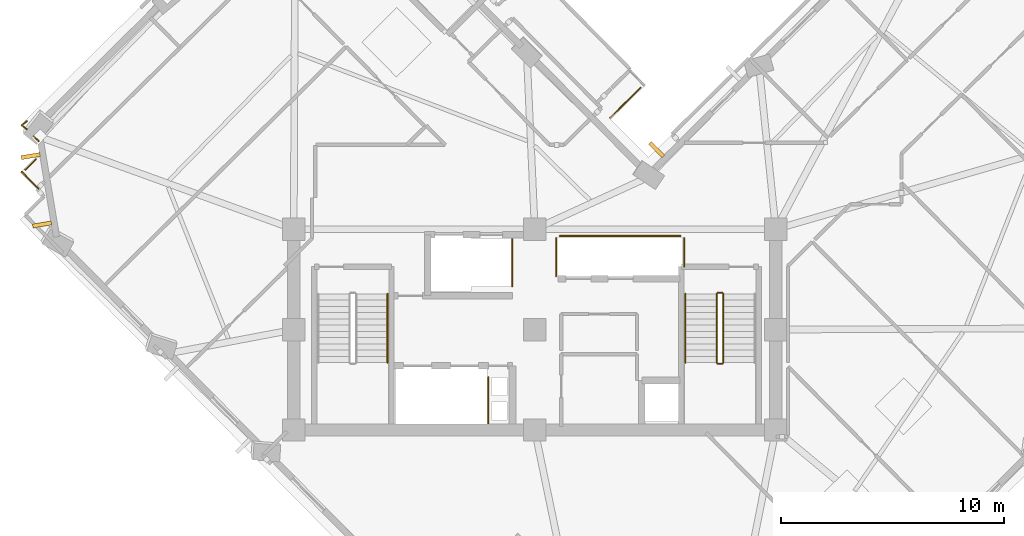
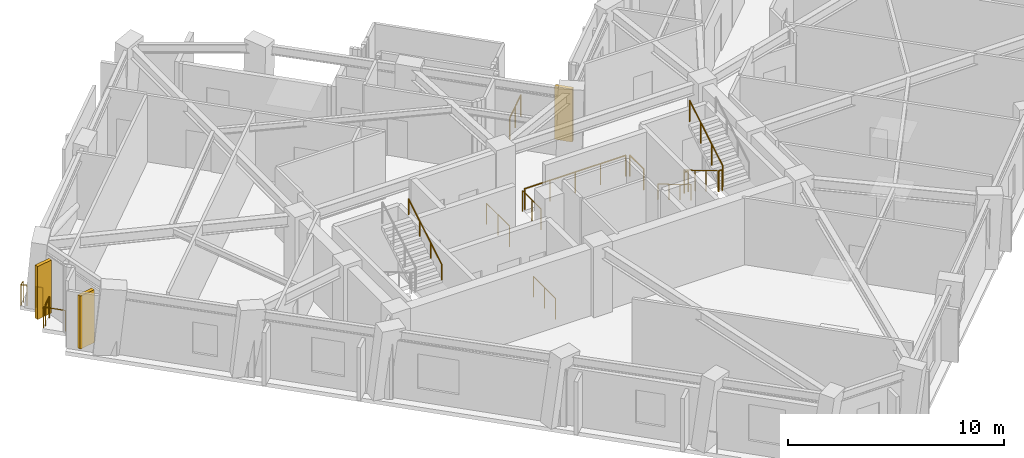
# One storey, part 9 of 11: 16 railings, 3 shading devices.
"""IFC4 building model written with IfcOpenShell, lengths in metres."""

from ifc_helpers import new_model, si_unit, direction, frame, origin, origin_2d, place, context, subcontext, project, spatial, rectangle, circle, extrude, material, layer, layer_set, type_object, element, save


model = new_model("IFC4")

# Units and contexts
model_context = context("Model", 3, precision=1e-05, world=origin(), true_north=direction((0.0, 1.0)))
body_context = subcontext(model_context, "Body", "Model", "MODEL_VIEW")
ifc_project = project(units=[si_unit("LENGTHUNIT", "METRE"), si_unit("AREAUNIT", "SQUARE_METRE"), si_unit("VOLUMEUNIT", "CUBIC_METRE"), si_unit("PLANEANGLEUNIT", "RADIAN"), si_unit("MASSUNIT", "GRAM", prefix="KILO")], contexts=[model_context])

# Site, building, storey
site_placement = place(None, origin())
site = spatial("IfcSite", under=ifc_project, at=site_placement, CompositionType="ELEMENT")
building_placement = place(site_placement, origin())
building = spatial("IfcBuilding", under=site, at=building_placement, Name="Gaonmaruhae Medical Tower", CompositionType="ELEMENT")
storey_placement = place(building_placement, frame((0.0, 0.0, 215.199951171875)))
storey = spatial("IfcBuildingStorey", under=building, at=storey_placement, Name="L51", CompositionType="ELEMENT", Elevation=215.199951171875)

# Railings
ifc_material_1 = material(Name="Stainless steel 316L and laminated safety glass", Category="steel")
ifc_layer = layer(ifc_material_1, 0.080078125)
ifc_layer_set = layer_set([ifc_layer], Name="Stainless steel 316L and laminated safety glass")
railing_type_1 = type_object("IfcRailingType", Name="GD-120 Outdoor Terrace Safety Glass & Steel Balustrade", PredefinedType="BALUSTRADE", material=ifc_layer_set)
railing_1_placement = place(storey_placement, frame((2.554931640625, 18.618408203125, 0.0)))
element("IfcRailing", 1, at=railing_1_placement, inside=storey, type_object=railing_type_1, Name="L51 Perimeter Slab Edge Safety Balustrade 08", PredefinedType="BALUSTRADE", context=body_context, shape_type="SweptSolid", body=[
    extrude(circle(Radius=0.02392578125, at=origin_2d()), frame((0.0, 0.0, 1.17578125), z_axis=(-0.702717092408, 0.711469386578, 0.0), x_axis=(-0.711469386578, -0.702717092408, 0.0)), (0.0, 0.0, 1.0), 1.06005859375),
    extrude(circle(Radius=0.02099609375, at=origin_2d()), origin(), (0.0, 0.0, 1.0), 1.15185546875),
    extrude(circle(Radius=0.02099609375, at=origin_2d()), frame((-0.744873046875, 0.754150390625, 0.0)), (0.0, 0.0, 1.0), 1.15185546875),
])
railing_2_placement = place(storey_placement, frame((1.9755859375, 19.4658203125, 0.0)))
element("IfcRailing", 2, at=railing_2_placement, inside=storey, type_object=railing_type_1, Name="L51 Perimeter Slab Edge Safety Balustrade 09", PredefinedType="BALUSTRADE", context=body_context, shape_type="SweptSolid", body=[
    extrude(circle(Radius=0.02392578125, at=origin_2d()), frame((0.0, 0.0, 1.17578125), z_axis=(0.711530676373, 0.70265503384, 0.0), x_axis=(-0.70265503384, 0.711530676373, 0.0)), (0.0, 0.0, 1.0), 0.66015625),
    extrude(circle(Radius=0.02099609375, at=origin_2d()), origin(), (0.0, 0.0, 1.0), 1.15185546875),
    extrude(circle(Radius=0.02099609375, at=origin_2d()), frame((0.4697265625, 0.4638671875, 0.0)), (0.0, 0.0, 1.0), 1.15185546875),
])
railing_3_placement = place(storey_placement, frame((2.568115234375, 20.73974609375, 0.0)))
element("IfcRailing", 3, at=railing_3_placement, inside=storey, type_object=railing_type_1, Name="L51 Perimeter Slab Edge Safety Balustrade 10", PredefinedType="BALUSTRADE", context=body_context, shape_type="SweptSolid", body=[
    extrude(circle(Radius=0.02392578125, at=origin_2d()), frame((0.0, 0.0, 1.17578125), z_axis=(-0.702985998444, 0.711203688117, 0.0), x_axis=(-0.711203688117, -0.702985998444, 0.0)), (0.0, 0.0, 1.0), 0.326904296875),
    extrude(circle(Radius=0.02099609375, at=origin_2d()), origin(), (0.0, 0.0, 1.0), 1.15185546875),
    extrude(circle(Radius=0.02099609375, at=origin_2d()), frame((-0.229736328125, 0.232421875, 0.0)), (0.0, 0.0, 1.0), 1.15185546875),
])
railing_4_placement = place(storey_placement, frame((29.5390625, 23.135986328125, 0.0)))
element("IfcRailing", 4, at=railing_4_placement, inside=storey, type_object=railing_type_1, Name="L51 Perimeter Slab Edge Safety Balustrade 15", PredefinedType="BALUSTRADE", context=body_context, shape_type="SweptSolid", body=[
    extrude(circle(Radius=0.02392578125, at=origin_2d()), frame((0.0, 0.0, 1.17578125), z_axis=(-0.711350130042, -0.702837813787, 0.0), x_axis=(0.702837813787, -0.711350130042, 0.0)), (0.0, 0.0, 1.0), 1.921630859375),
    extrude(circle(Radius=0.02099609375, at=origin_2d()), origin(), (0.0, 0.0, 1.0), 1.15185546875),
    extrude(circle(Radius=0.02099609375, at=origin_2d()), frame((-0.68359375, -0.67529296875, 0.0)), (0.0, 0.0, 1.0), 1.15185546875),
    extrude(circle(Radius=0.02099609375, at=origin_2d()), frame((-1.366943359375, -1.3505859375, 0.0)), (0.0, 0.0, 1.0), 1.15185546875),
])
railing_5_placement = place(storey_placement, frame((2.033935546875, 21.280517578125, 0.0)))
element("IfcRailing", 5, at=railing_5_placement, inside=storey, type_object=railing_type_1, Name="L51 Perimeter Corner Safety Balustrade 18", PredefinedType="BALUSTRADE", context=body_context, shape_type="SweptSolid", body=[
    extrude(circle(Radius=0.02392578125, at=origin_2d()), frame((0.0, 0.0, 1.17578125), z_axis=(-0.784752168391, 0.619809675793, 0.0), x_axis=(-0.619809675793, -0.784752168391, 0.0)), (0.0, 0.0, 1.0), 0.287109375),
    extrude(circle(Radius=0.02392578125, at=origin_2d()), frame((-0.225341796875, 0.177978515625, 1.17578125), z_axis=(0.791453233999, 0.611229726365, 0.0), x_axis=(-0.611229726365, 0.791453233999, 0.0)), (0.0, 0.0, 1.0), 0.287109375),
    extrude(circle(Radius=0.02099609375, at=origin_2d()), origin(), (0.0, 0.0, 1.0), 1.15185546875),
    extrude(circle(Radius=0.02099609375, at=origin_2d()), frame((-0.225341796875, 0.177978515625, 0.0)), (0.0, 0.0, 1.0), 1.15185546875),
    extrude(circle(Radius=0.02099609375, at=origin_2d()), frame((0.001953125, 0.353515625, 0.0)), (0.0, 0.0, 1.0), 1.15185546875),
])
ifc_material_2 = material(Name="Stainless steel 304 handrail", Category="steel")
railing_type_2 = type_object("IfcRailingType", Name="HR-092 Continuous Stainless Steel Stair Handrail", PredefinedType="HANDRAIL", material=ifc_material_2)
railing_6_placement = place(storey_placement, frame((18.199951171875, 10.820068359375, 2.166748046875)))
element("IfcRailing", 6, at=railing_6_placement, inside=storey, type_object=railing_type_2, Name="L51 ST-01 stair handrail 2", PredefinedType="HANDRAIL", context=body_context, shape_type="SweptSolid", body=[
    extrude(circle(Radius=0.02392578125, at=origin_2d()), frame((0.0, 0.0, 0.8759765625), z_axis=(0.0, 0.859290745958, 0.51148745235), x_axis=(-1.0, 0.0, 0.0)), (0.0, 0.0, 1.0), 3.584228515625),
    extrude(circle(Radius=0.02099609375, at=origin_2d()), origin(), (0.0, 0.0, 1.0), 0.851806640625),
    extrude(circle(Radius=0.02099609375, at=origin_2d()), frame((0.0, 1.026611328125, 0.611083984375)), (0.0, 0.0, 1.0), 0.851806640625),
    extrude(circle(Radius=0.02099609375, at=origin_2d()), frame((0.0, 2.05322265625, 1.22216796875)), (0.0, 0.0, 1.0), 0.851806640625),
    extrude(circle(Radius=0.02099609375, at=origin_2d()), frame((0.0, 3.079833984375, 1.833251953125)), (0.0, 0.0, 1.0), 0.851806640625),
])
railing_7_placement = place(storey_placement, frame((31.550048828125, 13.89990234375, 0.166748046875)))
element("IfcRailing", 7, at=railing_7_placement, inside=storey, type_object=railing_type_2, Name="L51 ST-02 stair handrail 1", PredefinedType="HANDRAIL", context=body_context, shape_type="SweptSolid", body=[
    extrude(circle(Radius=0.02392578125, at=origin_2d()), frame((0.0, 0.0, 0.8759765625), z_axis=(0.0, -0.859290745958, 0.51148745235), x_axis=(1.0, 0.0, 0.0)), (0.0, 0.0, 1.0), 3.584228515625),
    extrude(circle(Radius=0.02099609375, at=origin_2d()), origin(), (0.0, 0.0, 1.0), 0.851806640625),
    extrude(circle(Radius=0.02099609375, at=origin_2d()), frame((0.0, -1.026611328125, 0.611083984375)), (0.0, 0.0, 1.0), 0.851806640625),
    extrude(circle(Radius=0.02099609375, at=origin_2d()), frame((0.0, -2.05322265625, 1.22216796875)), (0.0, 0.0, 1.0), 0.851806640625),
    extrude(circle(Radius=0.02099609375, at=origin_2d()), frame((0.0, -3.079833984375, 1.833251953125)), (0.0, 0.0, 1.0), 0.851806640625),
])

# Shading devices
ifc_material_3 = material(Name="Pigmented coral precast concrete C45/55", Category="concrete")
shading_device_type = type_object("IfcShadingDeviceType", Name="SD-FIN1 Tower Vertical Coral Precast Shading Fin", PredefinedType="USERDEFINED", material=ifc_material_3)
for number, where, z_axis, x_axis, name in (
    (8, (30.2568359375, 20.365966796875, 0.08251953125), (0.0, 0.0, 1.0), (0.711400764987, 0.702786561892, 0.0), "L51 Vertical Coral Precast Shading Fin EN02"),
    (9, (2.72265625, 17.010498046875, 0.132568359375), (0.0, 0.0, 1.0), (-0.163876942581, 0.986480789316, 0.0), "L51 Vertical Coral Precast Shading Fin N03"),
    (10, (2.21337890625, 20.076416015625, 0.132568359375), (0.0, 0.0, 1.0), (-0.163876942581, 0.986480789316, 0.0), "L51 Vertical Coral Precast Shading Fin N03B"),
):
    element("IfcShadingDevice", number, at=place(storey_placement, frame(where, z_axis=z_axis, x_axis=x_axis)), inside=storey, type_object=shading_device_type, Name=name, ObjectType="FIN", PredefinedType="USERDEFINED", context=body_context, shape_type="SweptSolid", body=[
        extrude(rectangle(XDim=0.179931640625, YDim=0.85009765625, at=origin_2d()), origin(), (0.0, 0.0, 1.0), 3.0),
    ])

# Railings
ifc_material_4 = material(Name="Stainless steel 304 balustrade", Category="steel")
railing_type_3 = type_object("IfcRailingType", Name="SG-112 Stair Well & Ramp Void Safety Balustrade", PredefinedType="BALUSTRADE", material=ifc_material_4)
railing_8_placement = place(storey_placement, frame((32.949951171875, 13.89990234375, 0.166748046875)))
element("IfcRailing", 11, at=railing_8_placement, inside=storey, type_object=railing_type_3, Name="L51 ST-02 stair guard 1", PredefinedType="BALUSTRADE", context=body_context, shape_type="SweptSolid", body=[
    extrude(circle(Radius=0.02392578125, at=origin_2d()), frame((0.0, 0.0, 1.17578125), z_axis=(0.0, -0.859290745958, 0.51148745235), x_axis=(1.0, 0.0, 0.0)), (0.0, 0.0, 1.0), 3.584228515625),
    extrude(circle(Radius=0.02099609375, at=origin_2d()), origin(), (0.0, 0.0, 1.0), 1.15185546875),
    extrude(circle(Radius=0.02099609375, at=origin_2d()), frame((0.0, -1.026611328125, 0.611083984375)), (0.0, 0.0, 1.0), 1.15185546875),
    extrude(circle(Radius=0.02099609375, at=origin_2d()), frame((0.0, -2.05322265625, 1.22216796875)), (0.0, 0.0, 1.0), 1.15185546875),
    extrude(circle(Radius=0.02099609375, at=origin_2d()), frame((0.0, -3.079833984375, 1.833251953125)), (0.0, 0.0, 1.0), 1.15185546875),
])
railing_9_placement = place(storey_placement, frame((33.0, 10.77001953125, 2.0)))
element("IfcRailing", 12, at=railing_9_placement, inside=storey, type_object=railing_type_3, Name="L51 ST-02 stair guard 2", PredefinedType="BALUSTRADE", context=body_context, shape_type="SweptSolid", body=[
    extrude(circle(Radius=0.02392578125, at=origin_2d()), frame((0.0, 0.0, 1.17578125), z_axis=(1.0, 0.0, 0.0), x_axis=(0.0, 1.0, 0.0)), (0.0, 0.0, 1.0), 0.199951171875),
    extrude(circle(Radius=0.02099609375, at=origin_2d()), origin(), (0.0, 0.0, 1.0), 1.15185546875),
    extrude(circle(Radius=0.02099609375, at=origin_2d()), frame((0.199951171875, 0.0, 0.0)), (0.0, 0.0, 1.0), 1.15185546875),
])
railing_10_placement = place(storey_placement, frame((33.25, 10.820068359375, 2.166748046875)))
element("IfcRailing", 13, at=railing_10_placement, inside=storey, type_object=railing_type_3, Name="L51 ST-02 stair guard 3", PredefinedType="BALUSTRADE", context=body_context, shape_type="SweptSolid", body=[
    extrude(circle(Radius=0.02392578125, at=origin_2d()), frame((0.0, 0.0, 1.17578125), z_axis=(0.0, 0.859290745958, 0.51148745235), x_axis=(-1.0, 0.0, 0.0)), (0.0, 0.0, 1.0), 3.584228515625),
    extrude(circle(Radius=0.02099609375, at=origin_2d()), origin(), (0.0, 0.0, 1.0), 1.15185546875),
    extrude(circle(Radius=0.02099609375, at=origin_2d()), frame((0.0, 1.026611328125, 0.611083984375)), (0.0, 0.0, 1.0), 1.15185546875),
    extrude(circle(Radius=0.02099609375, at=origin_2d()), frame((0.0, 2.05322265625, 1.22216796875)), (0.0, 0.0, 1.0), 1.15185546875),
    extrude(circle(Radius=0.02099609375, at=origin_2d()), frame((0.0, 3.079833984375, 1.833251953125)), (0.0, 0.0, 1.0), 1.15185546875),
])
railing_11_placement = place(storey_placement, frame((33.0, 13.949951171875, 0.0)))
element("IfcRailing", 14, at=railing_11_placement, inside=storey, type_object=railing_type_3, Name="L51 ST-02 stair guard 4", PredefinedType="BALUSTRADE", context=body_context, shape_type="SweptSolid", body=[
    extrude(circle(Radius=0.02392578125, at=origin_2d()), frame((0.0, 0.0, 1.17578125), z_axis=(1.0, 0.0, 0.0), x_axis=(0.0, 1.0, 0.0)), (0.0, 0.0, 1.0), 0.199951171875),
    extrude(circle(Radius=0.02099609375, at=origin_2d()), origin(), (0.0, 0.0, 1.0), 1.15185546875),
    extrude(circle(Radius=0.02099609375, at=origin_2d()), frame((0.199951171875, 0.0, 0.0)), (0.0, 0.0, 1.0), 1.15185546875),
])
railing_12_placement = place(storey_placement, frame((22.719970703125, 10.159912109375, 0.0)))
element("IfcRailing", 15, at=railing_12_placement, inside=storey, type_object=railing_type_3, Name="L51 Shaft Edge Safety Guard 20", PredefinedType="BALUSTRADE", context=body_context, shape_type="SweptSolid", body=[
    extrude(circle(Radius=0.02392578125, at=origin_2d()), frame((0.0, 0.0, 1.17578125), z_axis=(0.0, -1.0, 0.0), x_axis=(1.0, 0.0, 0.0)), (0.0, 0.0, 1.0), 2.06494140625),
    extrude(circle(Radius=0.02099609375, at=origin_2d()), origin(), (0.0, 0.0, 1.0), 1.15185546875),
    extrude(circle(Radius=0.02099609375, at=origin_2d()), frame((0.0, -1.032470703125, 0.0)), (0.0, 0.0, 1.0), 1.15185546875),
    extrude(circle(Radius=0.02099609375, at=origin_2d()), frame((0.0, -2.06494140625, 0.0)), (0.0, 0.0, 1.0), 1.15185546875),
])
railing_13_placement = place(storey_placement, frame((23.794921875, 16.35498046875, 0.0)))
element("IfcRailing", 16, at=railing_13_placement, inside=storey, type_object=railing_type_3, Name="L51 Shaft Edge Safety Guard 21", PredefinedType="BALUSTRADE", context=body_context, shape_type="SweptSolid", body=[
    extrude(circle(Radius=0.02392578125, at=origin_2d()), frame((0.0, 0.0, 1.17578125), z_axis=(0.0, -1.0, 0.0), x_axis=(1.0, 0.0, 0.0)), (0.0, 0.0, 1.0), 2.10986328125),
    extrude(circle(Radius=0.02099609375, at=origin_2d()), origin(), (0.0, 0.0, 1.0), 1.15185546875),
    extrude(circle(Radius=0.02099609375, at=origin_2d()), frame((0.0, -1.054931640625, 0.0)), (0.0, 0.0, 1.0), 1.15185546875),
    extrude(circle(Radius=0.02099609375, at=origin_2d()), frame((0.0, -2.10986328125, 0.0)), (0.0, 0.0, 1.0), 1.15185546875),
])
railing_14_placement = place(storey_placement, frame((31.4951171875, 16.405029296875, 0.0)))
element("IfcRailing", 17, at=railing_14_placement, inside=storey, type_object=railing_type_3, Name="L51 Shaft Edge Safety Guard 22", PredefinedType="BALUSTRADE", context=body_context, shape_type="SweptSolid", body=[
    extrude(circle(Radius=0.02392578125, at=origin_2d()), frame((0.0, 0.0, 1.17578125), z_axis=(0.0, -1.0, 0.0), x_axis=(1.0, 0.0, 0.0)), (0.0, 0.0, 1.0), 1.284912109375),
    extrude(circle(Radius=0.02099609375, at=origin_2d()), origin(), (0.0, 0.0, 1.0), 1.15185546875),
    extrude(circle(Radius=0.02099609375, at=origin_2d()), frame((0.0, -1.284912109375, 0.0)), (0.0, 0.0, 1.0), 1.15185546875),
])
railing_15_placement = place(storey_placement, frame((25.7548828125, 14.695068359375, 0.0)))
element("IfcRailing", 18, at=railing_15_placement, inside=storey, type_object=railing_type_3, Name="L51 Shaft Edge Safety Guard 23", PredefinedType="BALUSTRADE", context=body_context, shape_type="SweptSolid", body=[
    extrude(circle(Radius=0.02392578125, at=origin_2d()), frame((0.0, 0.0, 1.17578125), z_axis=(0.0, 1.0, 0.0), x_axis=(-1.0, 0.0, 0.0)), (0.0, 0.0, 1.0), 1.7099609375),
    extrude(circle(Radius=0.02099609375, at=origin_2d()), origin(), (0.0, 0.0, 1.0), 1.15185546875),
    extrude(circle(Radius=0.02099609375, at=origin_2d()), frame((0.0, 0.85498046875, 0.0)), (0.0, 0.0, 1.0), 1.15185546875),
    extrude(circle(Radius=0.02099609375, at=origin_2d()), frame((0.0, 1.7099609375, 0.0)), (0.0, 0.0, 1.0), 1.15185546875),
])
railing_16_placement = place(storey_placement, frame((25.919921875, 16.4951171875, 0.0)))
element("IfcRailing", 19, at=railing_16_placement, inside=storey, type_object=railing_type_3, Name="L51 Shaft Edge Safety Guard 24", PredefinedType="BALUSTRADE", context=body_context, shape_type="SweptSolid", body=[
    extrude(circle(Radius=0.02392578125, at=origin_2d()), frame((0.0, 0.0, 1.17578125), z_axis=(1.0, 0.0, 0.0), x_axis=(0.0, 1.0, 0.0)), (0.0, 0.0, 1.0), 5.41015625),
    extrude(circle(Radius=0.02099609375, at=origin_2d()), origin(), (0.0, 0.0, 1.0), 1.15185546875),
    extrude(circle(Radius=0.02099609375, at=origin_2d()), frame((1.3525390625, 0.0, 0.0)), (0.0, 0.0, 1.0), 1.15185546875),
    extrude(circle(Radius=0.02099609375, at=origin_2d()), frame((2.705078125, 0.0, 0.0)), (0.0, 0.0, 1.0), 1.15185546875),
    extrude(circle(Radius=0.02099609375, at=origin_2d()), frame((4.0576171875, 0.0, 0.0)), (0.0, 0.0, 1.0), 1.15185546875),
    extrude(circle(Radius=0.02099609375, at=origin_2d()), frame((5.41015625, 0.0, 0.0)), (0.0, 0.0, 1.0), 1.15185546875),
])

save(model, "model.ifc")
